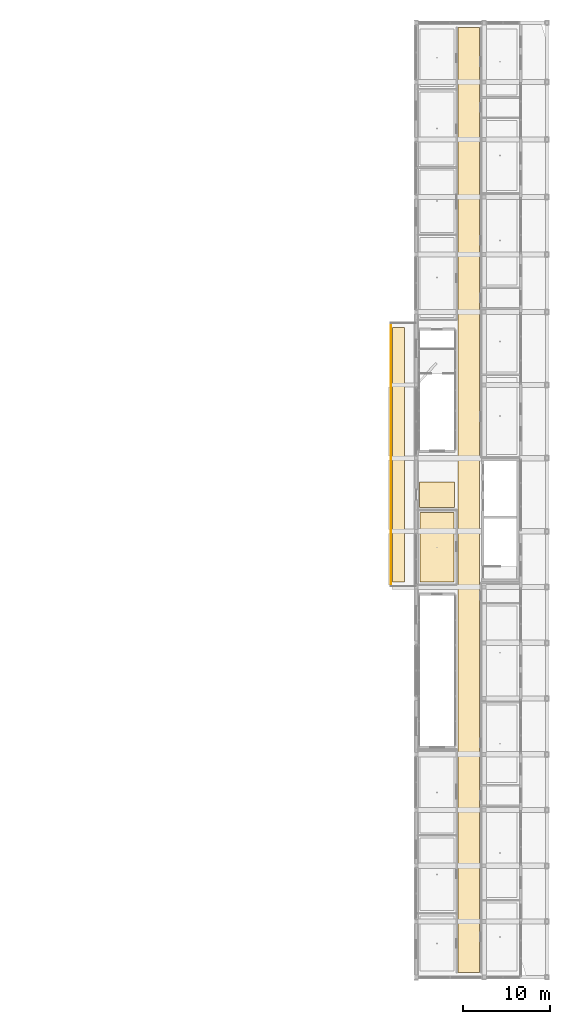
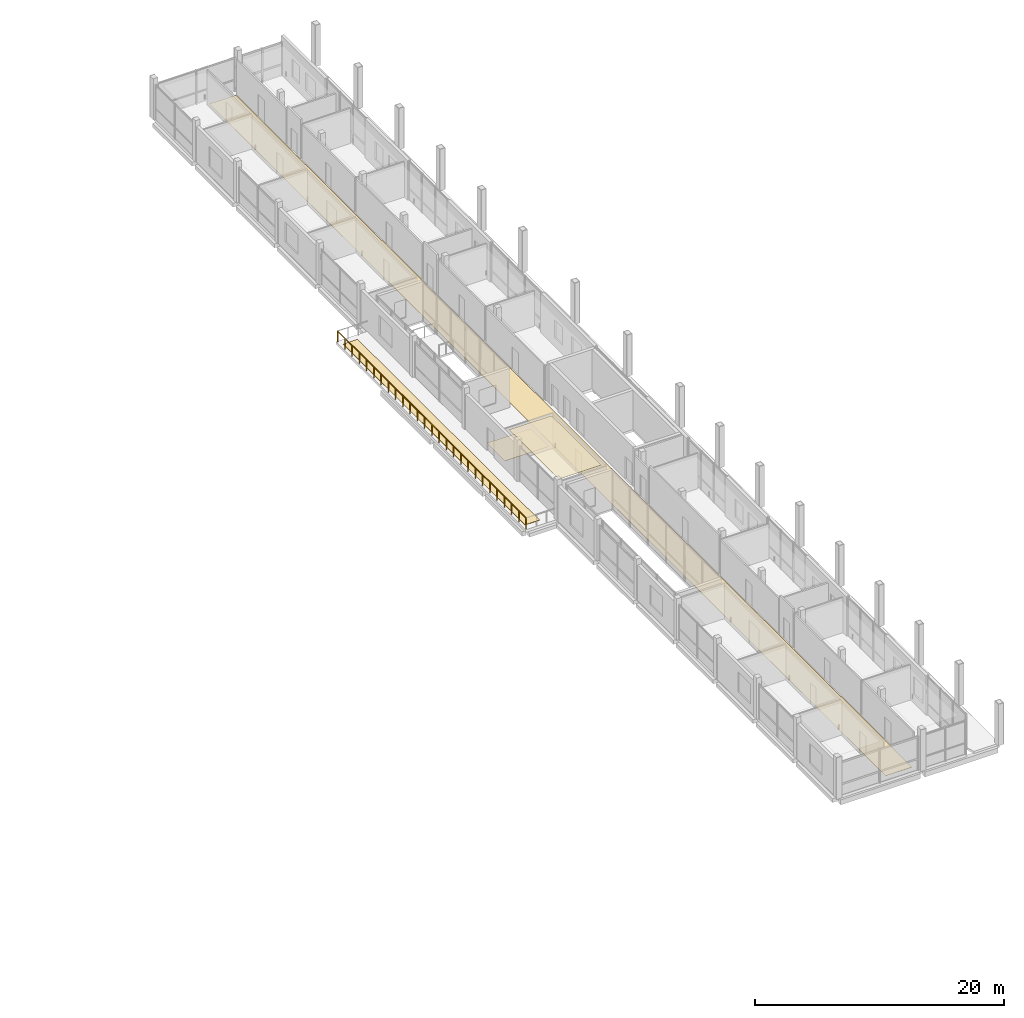
# One storey, part 46 of 48: 4 coverings, 1 railing.
"""IFC4 building model written with IfcOpenShell, lengths in metres."""

from ifc_helpers import new_model, si_unit, derived_unit, direction, frame, origin, origin_2d, place, context, subcontext, project, spatial, polyline, circle, outline, extrude, material, layer, layer_set, type_object, element, save


model = new_model("IFC4")

# Units and contexts
model_context = context("Model", 3, precision=1e-05, world=origin(), true_north=direction((0.0, 1.0)))
body_context = subcontext(model_context, "Body", "Model", "MODEL_VIEW")
ifc_project = project(units=[si_unit("LENGTHUNIT", "METRE"), si_unit("AREAUNIT", "SQUARE_METRE"), si_unit("VOLUMEUNIT", "CUBIC_METRE"), si_unit("PLANEANGLEUNIT", "RADIAN"), si_unit("MASSUNIT", "GRAM", prefix="KILO"), derived_unit("THERMALTRANSMITTANCEUNIT", [(si_unit("POWERUNIT", "WATT"), 1), (si_unit("LENGTHUNIT", "METRE"), -2), (si_unit("THERMODYNAMICTEMPERATUREUNIT", "KELVIN"), -1)])], contexts=[model_context])

# Site, building, storey
site_placement = place(None, origin())
site = spatial("IfcSite", under=ifc_project, at=site_placement, CompositionType="ELEMENT")
building_placement = place(site_placement, origin())
building = spatial("IfcBuilding", under=site, at=building_placement, Name="Braskholm Square Health Centre", CompositionType="ELEMENT")
storey_placement = place(building_placement, frame((0.0, 0.0, 17.550048828125)))
storey = spatial("IfcBuildingStorey", under=building, at=storey_placement, Name="L05", CompositionType="ELEMENT", Elevation=17.550048828125)

# Covering
ifc_material_1 = material(Name="Fire-rated gypsum board barrier")
ifc_layer_1 = layer(ifc_material_1, 0.02490234375)
ifc_layer_set_1 = layer_set([ifc_layer_1], Name="Fire-rated gypsum board barrier")
covering_type_1 = type_object("IfcCoveringType", Name="AcousticClinicalCeilingTile", PredefinedType="CEILING", material=ifc_layer_set_1)
covering_1_placement = place(storey_placement, frame((0.0, 0.0, 3.405029296875)))
element("IfcCovering", 1, at=covering_1_placement, inside=storey, type_object=covering_type_1, Name="Acoustic ceiling L05-287", PredefinedType="CEILING", context=body_context, shape_type="SweptSolid", body=[
    extrude(outline(polyline([(149.219970703125, 49.580078125), (153.14990234375, 49.580078125), (153.14990234375, 57.550048828125), (149.219970703125, 57.550048828125), (149.219970703125, 49.580078125)])), origin(), (0.0, 0.0, 1.0), 0.02490234375),
])

# Railing
ifc_material_2 = material(Name="Dark patinated chevron architectural bronze", Category="aluminium")
railing_type = type_object("IfcRailingType", Name="BronzeChevronGuardrail1100", PredefinedType="GUARDRAIL", material=ifc_material_2)
railing_placement = place(storey_placement, frame((145.89990234375, 49.10009765625, 0.0)))
element("IfcRailing", 2, at=railing_placement, inside=storey, type_object=railing_type, Name="Bronze chevron guardrail 0051 L05", PredefinedType="GUARDRAIL", context=body_context, shape_type="SweptSolid", body=[
    extrude(circle(Radius=0.02392578125, at=origin_2d()), frame((0.0, 0.0, 1.076171875), z_axis=(0.0, 1.0, 0.0), x_axis=(-1.0, 0.0, 0.0)), (0.0, 0.0, 1.0), 30.199951171875),
    extrude(circle(Radius=0.02099609375, at=origin_2d()), origin(), (0.0, 0.0, 1.0), 1.052001953125),
    extrude(circle(Radius=0.02099609375, at=origin_2d()), frame((0.0, 1.16162109375, 0.0)), (0.0, 0.0, 1.0), 1.052001953125),
    extrude(circle(Radius=0.02099609375, at=origin_2d()), frame((0.0, 2.322998046875, 0.0)), (0.0, 0.0, 1.0), 1.052001953125),
    extrude(circle(Radius=0.02099609375, at=origin_2d()), frame((0.0, 3.484619140625, 0.0)), (0.0, 0.0, 1.0), 1.052001953125),
    extrude(circle(Radius=0.02099609375, at=origin_2d()), frame((0.0, 4.646240234375, 0.0)), (0.0, 0.0, 1.0), 1.052001953125),
    extrude(circle(Radius=0.02099609375, at=origin_2d()), frame((0.0, 5.8076171875, 0.0)), (0.0, 0.0, 1.0), 1.052001953125),
    extrude(circle(Radius=0.02099609375, at=origin_2d()), frame((0.0, 6.96923828125, 0.0)), (0.0, 0.0, 1.0), 1.052001953125),
    extrude(circle(Radius=0.02099609375, at=origin_2d()), frame((0.0, 8.130859375, 0.0)), (0.0, 0.0, 1.0), 1.052001953125),
    extrude(circle(Radius=0.02099609375, at=origin_2d()), frame((0.0, 9.292236328125, 0.0)), (0.0, 0.0, 1.0), 1.052001953125),
    extrude(circle(Radius=0.02099609375, at=origin_2d()), frame((0.0, 10.453857421875, 0.0)), (0.0, 0.0, 1.0), 1.052001953125),
    extrude(circle(Radius=0.02099609375, at=origin_2d()), frame((0.0, 11.615478515625, 0.0)), (0.0, 0.0, 1.0), 1.052001953125),
    extrude(circle(Radius=0.02099609375, at=origin_2d()), frame((0.0, 12.77685546875, 0.0)), (0.0, 0.0, 1.0), 1.052001953125),
    extrude(circle(Radius=0.02099609375, at=origin_2d()), frame((0.0, 13.9384765625, 0.0)), (0.0, 0.0, 1.0), 1.052001953125),
    extrude(circle(Radius=0.02099609375, at=origin_2d()), frame((0.0, 15.10009765625, 0.0)), (0.0, 0.0, 1.0), 1.052001953125),
    extrude(circle(Radius=0.02099609375, at=origin_2d()), frame((0.0, 16.261474609375, 0.0)), (0.0, 0.0, 1.0), 1.052001953125),
    extrude(circle(Radius=0.02099609375, at=origin_2d()), frame((0.0, 17.423095703125, 0.0)), (0.0, 0.0, 1.0), 1.052001953125),
    extrude(circle(Radius=0.02099609375, at=origin_2d()), frame((0.0, 18.58447265625, 0.0)), (0.0, 0.0, 1.0), 1.052001953125),
    extrude(circle(Radius=0.02099609375, at=origin_2d()), frame((0.0, 19.74609375, 0.0)), (0.0, 0.0, 1.0), 1.052001953125),
    extrude(circle(Radius=0.02099609375, at=origin_2d()), frame((0.0, 20.90771484375, 0.0)), (0.0, 0.0, 1.0), 1.052001953125),
    extrude(circle(Radius=0.02099609375, at=origin_2d()), frame((0.0, 22.069091796875, 0.0)), (0.0, 0.0, 1.0), 1.052001953125),
    extrude(circle(Radius=0.02099609375, at=origin_2d()), frame((0.0, 23.230712890625, 0.0)), (0.0, 0.0, 1.0), 1.052001953125),
    extrude(circle(Radius=0.02099609375, at=origin_2d()), frame((0.0, 24.392333984375, 0.0)), (0.0, 0.0, 1.0), 1.052001953125),
    extrude(circle(Radius=0.02099609375, at=origin_2d()), frame((0.0, 25.5537109375, 0.0)), (0.0, 0.0, 1.0), 1.052001953125),
    extrude(circle(Radius=0.02099609375, at=origin_2d()), frame((0.0, 26.71533203125, 0.0)), (0.0, 0.0, 1.0), 1.052001953125),
    extrude(circle(Radius=0.02099609375, at=origin_2d()), frame((0.0, 27.876953125, 0.0)), (0.0, 0.0, 1.0), 1.052001953125),
    extrude(circle(Radius=0.02099609375, at=origin_2d()), frame((0.0, 29.038330078125, 0.0)), (0.0, 0.0, 1.0), 1.052001953125),
    extrude(circle(Radius=0.02099609375, at=origin_2d()), frame((0.0, 30.199951171875, 0.0)), (0.0, 0.0, 1.0), 1.052001953125),
])

# Coverings
ifc_material_3 = material(Name="Intensive botanical sedum and native prairie garden bed")
ifc_layer_2 = layer(ifc_material_3, 0.02490234375)
ifc_layer_set_2 = layer_set([ifc_layer_2], Name="Intensive botanical sedum and native prairie garden bed")
covering_type_2 = type_object("IfcCoveringType", Name="PlantedTerraceGardenBed", PredefinedType="ROOFING", material=ifc_layer_set_2)
covering_2_placement = place(storey_placement, origin())
element("IfcCovering", 3, at=covering_2_placement, inside=storey, type_object=covering_type_2, Name="Planted therapy terrace garden bed 0919", PredefinedType="ROOFING", context=body_context, shape_type="SweptSolid", body=[
    extrude(outline(polyline([(146.10009765625, 49.60009765625), (147.449951171875, 49.60009765625), (147.449951171875, 78.800048828125), (146.10009765625, 78.800048828125), (146.10009765625, 49.60009765625)])), origin(), (0.0, 0.0, 1.0), 0.02490234375),
])
ifc_material_4 = material(Name="Polished geometric terrazzo flooring", Category="masonry")
ifc_layer_3 = layer(ifc_material_4, 0.02001953125)
ifc_layer_set_3 = layer_set([ifc_layer_3], Name="Polished geometric terrazzo flooring")
covering_type_3 = type_object("IfcCoveringType", Name="PolishedTerrazzoFloorFinish", PredefinedType="FLOORING", material=ifc_layer_set_3)
covering_3_placement = place(storey_placement, origin())
element("IfcCovering", 4, at=covering_3_placement, inside=storey, type_object=covering_type_3, Name="Polished terrazzo floor L05-269", PredefinedType="FLOORING", context=body_context, shape_type="SweptSolid", body=[
    extrude(outline(polyline([(153.60009765625, 4.75), (156.050048828125, 4.75), (156.050048828125, 113.25), (153.60009765625, 113.25), (153.60009765625, 4.75)])), origin(), (0.0, 0.0, 1.0), 0.02001953125),
])
covering_4_placement = place(storey_placement, origin())
element("IfcCovering", 5, at=covering_4_placement, inside=storey, type_object=covering_type_3, Name="Polished terrazzo floor L05-283", PredefinedType="FLOORING", context=body_context, shape_type="SweptSolid", body=[
    extrude(outline(polyline([(149.169921875, 58.14990234375), (153.219970703125, 58.14990234375), (153.219970703125, 61.050048828125), (149.169921875, 61.050048828125), (149.169921875, 58.14990234375)])), origin(), (0.0, 0.0, 1.0), 0.02001953125),
])

save(model, "model.ifc")
